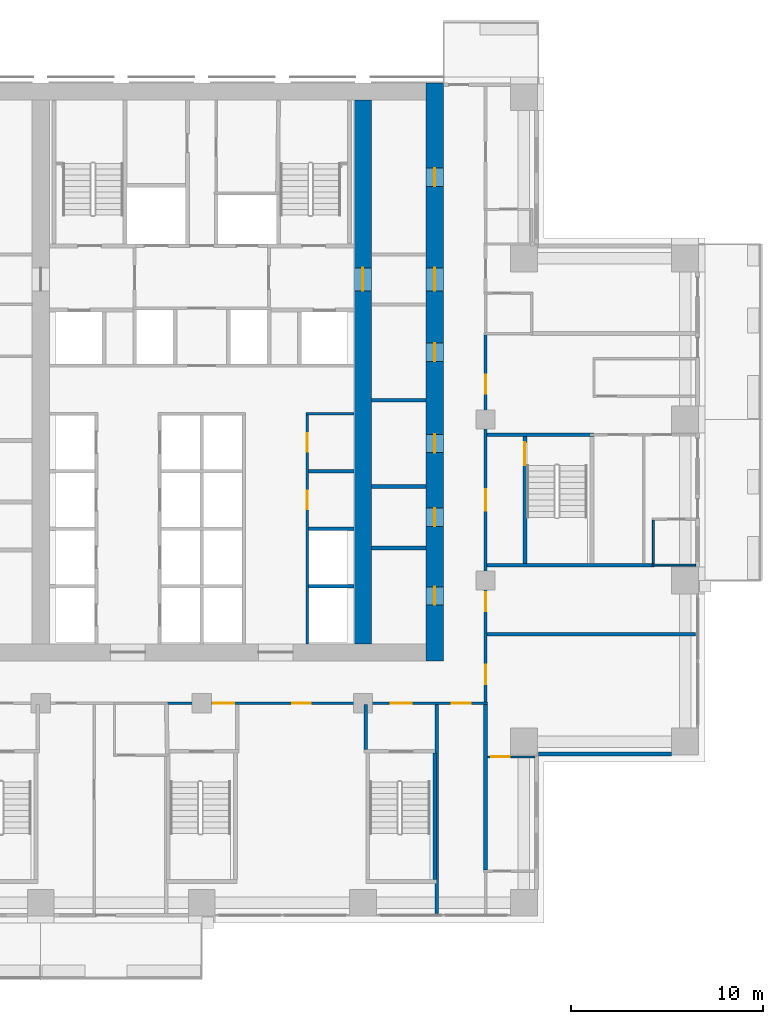
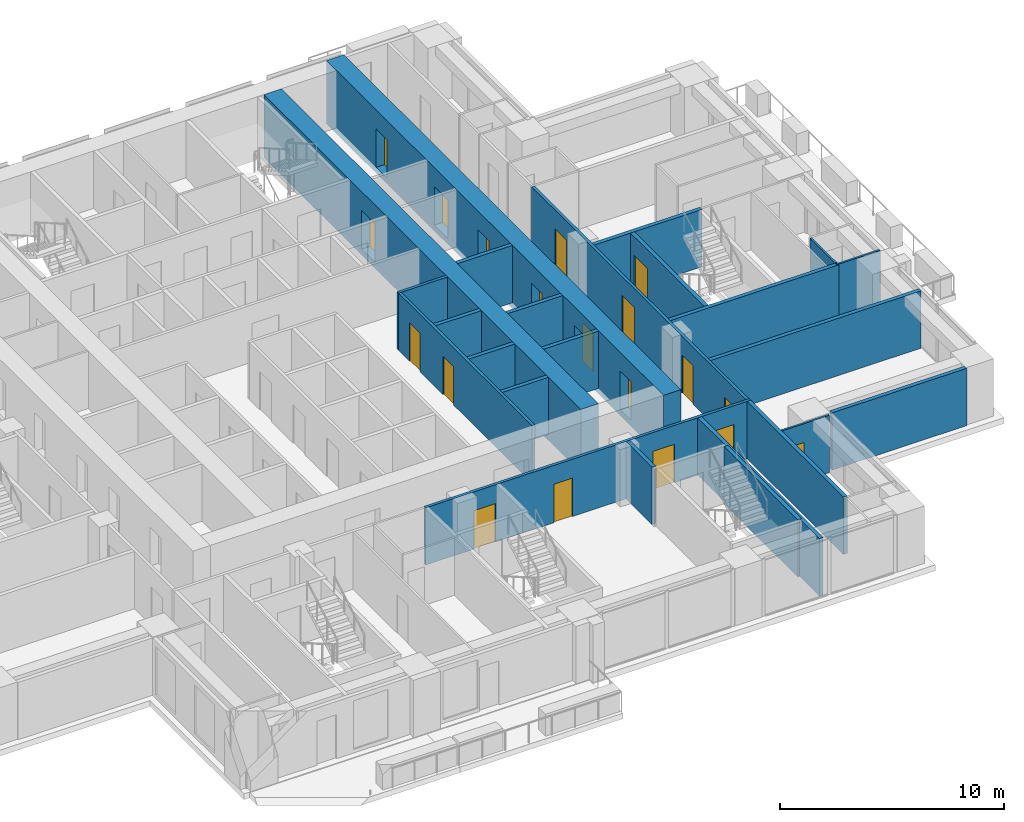
# One storey, part 9 of 17: 24 walls, 19 doors, 19 openings.
"""IFC4 building model written with IfcOpenShell, lengths in metres."""

import ifcopenshell
import ifcopenshell.guid

model = None  # the IFC model being written
_history = None  # IfcOwnerHistory: only IFC2X3 demands one
_inside = {}  # id of a spatial element -> (the spatial element, [elements in it])
_under = {}  # id of a project, library or spatial element -> (it, [spatial elements below it])
_declared = {}  # id of a project -> (the project, [libraries it declares])
_typed = {}  # id of a type object -> (the type object, [elements of that type])
_made_of = {}  # id of a material, layer set ... -> (it, [elements and type objects made of it])


def new_model(schema):
    """Start an empty IFC model of exactly this schema.

    Asked for "IFC4X3", IfcOpenShell would pick the latest addendum, in which some entities
    have other attributes; the version numbers below select the first issue.
    IFC2X3 requires an IfcOwnerHistory on every rooted entity: one is made here for all.
    """
    global model, _history
    if schema == "IFC4X3":
        model = ifcopenshell.file(schema_version=(4, 3, 0, 0))
    else:
        model = ifcopenshell.file(schema=schema)
    _inside.clear()
    _under.clear()
    _declared.clear()
    _typed.clear()
    _made_of.clear()
    _history = None
    if model.schema == "IFC2X3":
        org = make("IfcOrganization", Name="unknown")
        user = make(
            "IfcPersonAndOrganization",
            ThePerson=make("IfcPerson", FamilyName="unknown"),
            TheOrganization=org,
        )
        app = make(
            "IfcApplication",
            ApplicationDeveloper=org,
            Version="unknown",
            ApplicationFullName="unknown",
            ApplicationIdentifier="unknown",
        )
        _history = make(
            "IfcOwnerHistory",
            OwningUser=user,
            OwningApplication=app,
            ChangeAction="ADDED",
            CreationDate=0,
        )
    return model


def make(cls, **values):
    """One entity of the class cls with the attributes given. An attribute that is None is left unset."""
    return model.create_entity(
        cls, **{name: value for name, value in values.items() if value is not None}
    )


def rooted(cls, **values):
    """An entity with a GlobalId (a new one), such as an element, a storey or a relation."""
    return make(cls, GlobalId=ifcopenshell.guid.new(), OwnerHistory=_history, **values)


def si_unit(unit_type, name, prefix=None):
    """IfcSIUnit, for example si_unit("LENGTHUNIT", "METRE", prefix="MILLI")."""
    return make("IfcSIUnit", UnitType=unit_type, Prefix=prefix, Name=name)


def assignment(units):
    """IfcUnitAssignment: the units of a project."""
    return None if units is None else make("IfcUnitAssignment", Units=units)


def point(xyz):
    """IfcCartesianPoint."""
    return None if xyz is None else make("IfcCartesianPoint", Coordinates=xyz)


def direction(xyz):
    """IfcDirection."""
    return None if xyz is None else make("IfcDirection", DirectionRatios=xyz)


def frame(location, z_axis=None, x_axis=None):
    """IfcAxis2Placement3D, a coordinate frame: its origin and axes. An axis left out is left unset."""
    return make(
        "IfcAxis2Placement3D",
        Location=point(location),
        Axis=direction(z_axis),
        RefDirection=direction(x_axis),
    )


def frame_2d(location, x_axis=None):
    """IfcAxis2Placement2D, a coordinate frame in the plane: its origin and x axis."""
    return make(
        "IfcAxis2Placement2D", Location=point(location), RefDirection=direction(x_axis)
    )


def origin():
    """The frame at (0, 0, 0) with its axes left unset."""
    return frame((0.0, 0.0, 0.0))


def place(relative_to, where):
    """IfcLocalPlacement: puts the frame where relative to a parent placement (None: the world)."""
    return make(
        "IfcLocalPlacement", PlacementRelTo=relative_to, RelativePlacement=where
    )


def context(
    kind, dimensions, precision=None, world=None, true_north=None, identifier=None
):
    """IfcGeometricRepresentationContext, for example the 3D "Model" context."""
    return make(
        "IfcGeometricRepresentationContext",
        ContextIdentifier=identifier,
        ContextType=kind,
        CoordinateSpaceDimension=dimensions,
        Precision=precision,
        WorldCoordinateSystem=world,
        TrueNorth=true_north,
    )


def subcontext(parent, identifier, kind, view, scale=None):
    """IfcGeometricRepresentationSubContext, for example "Body" below "Model"."""
    return make(
        "IfcGeometricRepresentationSubContext",
        ContextIdentifier=identifier,
        ContextType=kind,
        ParentContext=parent,
        TargetScale=scale,
        TargetView=view,
    )


def project(units=None, contexts=None):
    """IfcProject with its units and contexts."""
    return rooted(
        "IfcProject",
        Name="project",
        RepresentationContexts=contexts,
        UnitsInContext=assignment(units),
    )


def spatial(cls, under=None, at=None, **own):
    """A site, building, storey or space (cls), placed at a placement, below another one or the project."""
    s = rooted(cls, ObjectPlacement=at, **own)
    if under is not None:
        _under.setdefault(under.id(), (under, []))[1].append(s)
    return s


def profile(cls, at=None, kind="AREA", **sizes):
    """A parametric profile (cls). Its sizes go by their IFC names, for example OverallWidth=200.0."""
    return make(cls, ProfileType=kind, Position=at, **sizes)


def rectangle(**sizes):
    """IfcRectangleProfileDef."""
    return profile("IfcRectangleProfileDef", **sizes)


def extrude(swept, where, along, depth):
    """IfcExtrudedAreaSolid: the profile swept, set in the frame where, extruded along a direction by depth."""
    return make(
        "IfcExtrudedAreaSolid",
        SweptArea=swept,
        Position=where,
        ExtrudedDirection=direction(along),
        Depth=depth,
    )


def shape(context_of_items, identifier, shape_type, items):
    """IfcShapeRepresentation: the items that make up one representation, for example the "Body"."""
    return make(
        "IfcShapeRepresentation",
        ContextOfItems=context_of_items,
        RepresentationIdentifier=identifier,
        RepresentationType=shape_type,
        Items=items,
    )


def material(Name=None, Category=None):
    """IfcMaterial."""
    return make("IfcMaterial", Name=Name, Category=Category)


def layer(
    of_material, thickness, ventilated=None, Name=None, Category=None, Priority=None
):
    """IfcMaterialLayer: one layer of a wall or slab, of a material (None: an air gap)."""
    return make(
        "IfcMaterialLayer",
        Material=of_material,
        LayerThickness=thickness,
        IsVentilated=ventilated,
        Name=Name,
        Category=Category,
        Priority=Priority,
    )


def layer_set(layers, Name=None):
    """IfcMaterialLayerSet."""
    return make("IfcMaterialLayerSet", MaterialLayers=layers, LayerSetName=Name)


def made_of(thing, what):
    """Note that an element or type object is made of a material, layer set ...; save() writes the relation."""
    if what is not None:
        _made_of.setdefault(what.id(), (what, []))[1].append(thing)
    return thing


def type_object(cls, material=None, **own):
    """A type object (cls), such as IfcWallType, which elements share."""
    return made_of(rooted(cls, **own), material)


def element(
    cls,
    number,
    at=None,
    inside=None,
    cuts=None,
    type_object=None,
    material=None,
    context=None,
    identifier="Body",
    shape_type=None,
    held_by="IfcProductDefinitionShape",
    body=None,
    shapes=None,
    **own,
):
    """One element of the class cls, such as IfcWall. Its Tag is "e" and its number.

    at: its placement. inside: the storey or other place that contains it. cuts: it is an
    opening in that element (IfcRelVoidsElement). A single representation is given by context,
    identifier, shape_type and body (its items); several are given by shapes. held_by: the class
    of the entity that holds the representations. save() writes the other relations.
    """
    e = rooted(cls, Tag="e%d" % number, ObjectPlacement=at, **own)
    if body is not None:
        shapes = [shape(context, identifier, shape_type, body)]
    if shapes is not None:
        e.Representation = make(held_by, Representations=shapes)
    if inside is not None:
        _inside.setdefault(inside.id(), (inside, []))[1].append(e)
    if cuts is not None:
        rooted(
            "IfcRelVoidsElement", RelatingBuildingElement=cuts, RelatedOpeningElement=e
        )
    if type_object is not None:
        _typed.setdefault(type_object.id(), (type_object, []))[1].append(e)
    return made_of(e, material)


def fill(opening, filler):
    """IfcRelFillsElement: the door or window that sits in an opening."""
    return rooted(
        "IfcRelFillsElement",
        RelatingOpeningElement=opening,
        RelatedBuildingElement=filler,
    )


def aggregate(whole, parts):
    """IfcRelAggregates: a whole, such as a stair, and the parts it consists of."""
    return rooted("IfcRelAggregates", RelatingObject=whole, RelatedObjects=parts)


def save(model, path):
    """Write the relations noted so far, then the file.

    IfcRelAggregates (storeys below a building ...), IfcRelContainedInSpatialStructure (elements
    in a storey), IfcRelDefinesByType, IfcRelAssociatesMaterial and IfcRelDeclares: one each for
    every whole, place, type object, material and project.
    """
    for whole, parts in _under.values():
        aggregate(whole, parts)
    for where, things in _inside.values():
        rooted(
            "IfcRelContainedInSpatialStructure",
            RelatedElements=things,
            RelatingStructure=where,
        )
    for kind, things in _typed.values():
        rooted("IfcRelDefinesByType", RelatedObjects=things, RelatingType=kind)
    for what, things in _made_of.values():
        rooted("IfcRelAssociatesMaterial", RelatedObjects=things, RelatingMaterial=what)
    for by, libraries in _declared.values():
        rooted("IfcRelDeclares", RelatingContext=by, RelatedDefinitions=libraries)
    model.write(path)


model = new_model("IFC4")

# Units and contexts
model_context = context("Model", 3, precision=1e-05, world=origin(), true_north=direction((0.0, 1.0)))
body_context = subcontext(model_context, "Body", "Model", "MODEL_VIEW")
ifc_project = project(units=[si_unit("LENGTHUNIT", "METRE"), si_unit("AREAUNIT", "SQUARE_METRE"), si_unit("VOLUMEUNIT", "CUBIC_METRE"), si_unit("PLANEANGLEUNIT", "RADIAN"), si_unit("MASSUNIT", "GRAM", prefix="KILO")], contexts=[model_context])

# Site, building, storey
site_placement = place(None, origin())
site = spatial("IfcSite", under=ifc_project, at=site_placement, CompositionType="ELEMENT")
building_placement = place(site_placement, origin())
building = spatial("IfcBuilding", under=site, at=building_placement, Name="Vermilion Ogive Tower", CompositionType="ELEMENT")
storey_placement = place(building_placement, frame((0.0, 0.0, 58.64990234375)))
storey = spatial("IfcBuildingStorey", under=building, at=storey_placement, Name="L13", CompositionType="ELEMENT", Elevation=58.64990234375)

# Wall, openings, doors
ifc_material_1 = material(Name="Concrete B80", Category="concrete")
ifc_layer_1 = layer(ifc_material_1, 0.89990234375)
ifc_layer_set_1 = layer_set([ifc_layer_1], Name="Core wall 900 B80")
wall_type_1 = type_object("IfcWallType", Name="Core wall 900 B80", PredefinedType="SHEAR", material=ifc_layer_set_1)
wall_1_placement = place(storey_placement, frame((12.14990234375, -8.39990234375, -0.31982421875), z_axis=(0.0, 0.0, 1.0), x_axis=(0.0, 1.0, 0.0)))
wall_1 = element("IfcWall", 1, at=wall_1_placement, inside=storey, type_object=wall_type_1, Name="L13-CORE-E", PredefinedType="SHEAR", context=body_context, shape_type="SweptSolid", body=[
    extrude(rectangle(XDim=30.14990234375, YDim=0.89990234375, at=frame_2d((15.074951171875, 0.0))), origin(), (0.0, 0.0, 1.0), 3.449951171875),
])
opening_1_placement = place(wall_1_placement, frame((2.925048828125, 0.0, 0.320068359375)))
opening_1 = element("IfcOpeningElement", 2, at=opening_1_placement, cuts=wall_1, Name="Opening DAC018", PredefinedType="OPENING", context=body_context, shape_type="SweptSolid", body=[
    extrude(rectangle(XDim=0.949951171875, YDim=2.10009765625, at=frame_2d((0.47509765625, 1.050048828125))), frame((0.0, 0.4599609375, 0.0), z_axis=(0.0, -1.0, 0.0), x_axis=(1.0, 0.0, 0.0)), (0.0, 0.0, 1.0), 0.919921875),
])
opening_2_placement = place(wall_1_placement, frame((7.02490234375, 0.0, 0.320068359375)))
opening_2 = element("IfcOpeningElement", 3, at=opening_2_placement, cuts=wall_1, Name="Opening DAC019", PredefinedType="OPENING", context=body_context, shape_type="SweptSolid", body=[
    extrude(rectangle(XDim=0.949951171875, YDim=2.10009765625, at=frame_2d((0.47509765625, 1.050048828125))), frame((0.0, 0.4599609375, 0.0), z_axis=(0.0, -1.0, 0.0), x_axis=(1.0, 0.0, 0.0)), (0.0, 0.0, 1.0), 0.919921875),
])
opening_3_placement = place(wall_1_placement, frame((10.875, 0.0, 0.320068359375)))
opening_3 = element("IfcOpeningElement", 4, at=opening_3_placement, cuts=wall_1, Name="Opening DAC020", PredefinedType="OPENING", context=body_context, shape_type="SweptSolid", body=[
    extrude(rectangle(XDim=0.949951171875, YDim=2.10009765625, at=frame_2d((0.47509765625, 1.050048828125))), frame((0.0, 0.4599609375, 0.0), z_axis=(0.0, -1.0, 0.0), x_axis=(1.0, 0.0, 0.0)), (0.0, 0.0, 1.0), 0.919921875),
])
opening_4_placement = place(wall_1_placement, frame((15.625, 0.0, 0.320068359375)))
opening_4 = element("IfcOpeningElement", 5, at=opening_4_placement, cuts=wall_1, Name="Opening DAC021", PredefinedType="OPENING", context=body_context, shape_type="SweptSolid", body=[
    extrude(rectangle(XDim=0.949951171875, YDim=2.10009765625, at=frame_2d((0.47509765625, 1.050048828125))), frame((0.0, 0.4599609375, 0.0), z_axis=(0.0, -1.0, 0.0), x_axis=(1.0, 0.0, 0.0)), (0.0, 0.0, 1.0), 0.919921875),
])
opening_5_placement = place(wall_1_placement, frame((24.75, 0.0, 0.320068359375)))
opening_5 = element("IfcOpeningElement", 6, at=opening_5_placement, cuts=wall_1, Name="Opening DAC022", PredefinedType="OPENING", context=body_context, shape_type="SweptSolid", body=[
    extrude(rectangle(XDim=0.949951171875, YDim=2.10009765625, at=frame_2d((0.47509765625, 1.050048828125))), frame((0.0, 0.4599609375, 0.0), z_axis=(0.0, -1.0, 0.0), x_axis=(1.0, 0.0, 0.0)), (0.0, 0.0, 1.0), 0.919921875),
])
opening_6_placement = place(wall_1_placement, frame((19.300048828125, 0.0, 0.320068359375)))
opening_6 = element("IfcOpeningElement", 7, at=opening_6_placement, cuts=wall_1, Name="Opening DAL004", PredefinedType="OPENING", context=body_context, shape_type="SweptSolid", body=[
    extrude(rectangle(XDim=1.199951171875, YDim=2.10009765625, at=frame_2d((0.60009765625, 1.050048828125))), frame((0.0, 0.4599609375, 0.0), z_axis=(0.0, -1.0, 0.0), x_axis=(1.0, 0.0, 0.0)), (0.0, 0.0, 1.0), 0.919921875),
])
ifc_material_2 = material(Name="Timber door leaf", Category="wood")
door_type_1 = type_object("IfcDoorType", Name="Link door 1200 x 2100 FD60S", OperationType="SINGLE_SWING_LEFT", PredefinedType="DOOR", material=ifc_material_2)
door_1_placement = place(opening_6_placement, origin())
door_1 = element("IfcDoor", 8, at=door_1_placement, inside=storey, type_object=door_type_1, Name="L13-CKE-XL", OperationType="SINGLE_SWING_LEFT", OverallHeight=2.10009765625, OverallWidth=1.199951171875, PredefinedType="DOOR", context=body_context, shape_type="SweptSolid", body=[
    extrude(rectangle(XDim=1.199951171875, YDim=2.10009765625, at=frame_2d((0.60009765625, 1.050048828125))), frame((0.0, 0.02490234375, 0.0), z_axis=(0.0, -1.0, 0.0), x_axis=(1.0, 0.0, 0.0)), (0.0, 0.0, 1.0), 0.050048828125),
])
fill(opening_6, door_1)
ifc_material_3 = material(Name="Timber door leaf", Category="wood")
door_type_2 = type_object("IfcDoorType", Name="Service door 950 x 2100 FD60", OperationType="SINGLE_SWING_LEFT", PredefinedType="DOOR", material=ifc_material_3)
door_2_placement = place(opening_1_placement, origin())
door_2 = element("IfcDoor", 9, at=door_2_placement, inside=storey, type_object=door_type_2, Name="L13-CKE-XR0", OperationType="SINGLE_SWING_LEFT", OverallHeight=2.10009765625, OverallWidth=0.949951171875, PredefinedType="DOOR", context=body_context, shape_type="SweptSolid", body=[
    extrude(rectangle(XDim=0.949951171875, YDim=2.10009765625, at=frame_2d((0.47509765625, 1.050048828125))), frame((0.0, 0.02490234375, 0.0), z_axis=(0.0, -1.0, 0.0), x_axis=(1.0, 0.0, 0.0)), (0.0, 0.0, 1.0), 0.050048828125),
])
fill(opening_1, door_2)
door_3_placement = place(opening_2_placement, origin())
door_3 = element("IfcDoor", 10, at=door_3_placement, inside=storey, type_object=door_type_2, Name="L13-CKE-XR1", OperationType="SINGLE_SWING_LEFT", OverallHeight=2.10009765625, OverallWidth=0.949951171875, PredefinedType="DOOR", context=body_context, shape_type="SweptSolid", body=[
    extrude(rectangle(XDim=0.949951171875, YDim=2.10009765625, at=frame_2d((0.47509765625, 1.050048828125))), frame((0.0, 0.02490234375, 0.0), z_axis=(0.0, -1.0, 0.0), x_axis=(1.0, 0.0, 0.0)), (0.0, 0.0, 1.0), 0.050048828125),
])
fill(opening_2, door_3)
door_4_placement = place(opening_3_placement, origin())
door_4 = element("IfcDoor", 11, at=door_4_placement, inside=storey, type_object=door_type_2, Name="L13-CKE-XR2", OperationType="SINGLE_SWING_LEFT", OverallHeight=2.10009765625, OverallWidth=0.949951171875, PredefinedType="DOOR", context=body_context, shape_type="SweptSolid", body=[
    extrude(rectangle(XDim=0.949951171875, YDim=2.10009765625, at=frame_2d((0.47509765625, 1.050048828125))), frame((0.0, 0.02490234375, 0.0), z_axis=(0.0, -1.0, 0.0), x_axis=(1.0, 0.0, 0.0)), (0.0, 0.0, 1.0), 0.050048828125),
])
fill(opening_3, door_4)
door_5_placement = place(opening_4_placement, origin())
door_5 = element("IfcDoor", 12, at=door_5_placement, inside=storey, type_object=door_type_2, Name="L13-CKE-XR3", OperationType="SINGLE_SWING_LEFT", OverallHeight=2.10009765625, OverallWidth=0.949951171875, PredefinedType="DOOR", context=body_context, shape_type="SweptSolid", body=[
    extrude(rectangle(XDim=0.949951171875, YDim=2.10009765625, at=frame_2d((0.47509765625, 1.050048828125))), frame((0.0, 0.02490234375, 0.0), z_axis=(0.0, -1.0, 0.0), x_axis=(1.0, 0.0, 0.0)), (0.0, 0.0, 1.0), 0.050048828125),
])
fill(opening_4, door_5)
door_6_placement = place(opening_5_placement, origin())
door_6 = element("IfcDoor", 13, at=door_6_placement, inside=storey, type_object=door_type_2, Name="L13-CKE-XR4", OperationType="SINGLE_SWING_LEFT", OverallHeight=2.10009765625, OverallWidth=0.949951171875, PredefinedType="DOOR", context=body_context, shape_type="SweptSolid", body=[
    extrude(rectangle(XDim=0.949951171875, YDim=2.10009765625, at=frame_2d((0.47509765625, 1.050048828125))), frame((0.0, 0.02490234375, 0.0), z_axis=(0.0, -1.0, 0.0), x_axis=(1.0, 0.0, 0.0)), (0.0, 0.0, 1.0), 0.050048828125),
])
fill(opening_5, door_6)

# Wall, opening, door
wall_2_placement = place(storey_placement, frame((8.39990234375, -7.5, -0.31982421875), z_axis=(0.0, 0.0, 1.0), x_axis=(0.0, 1.0, 0.0)))
wall_2 = element("IfcWall", 14, at=wall_2_placement, inside=storey, type_object=wall_type_1, Name="L13-CORE-WEB2", PredefinedType="SHEAR", context=body_context, shape_type="SweptSolid", body=[
    extrude(rectangle(XDim=28.35009765625, YDim=0.89990234375, at=frame_2d((14.175048828125, 0.0))), origin(), (0.0, 0.0, 1.0), 3.449951171875),
])
opening_7_placement = place(wall_2_placement, frame((18.39990234375, 0.0, 0.320068359375)))
opening_7 = element("IfcOpeningElement", 15, at=opening_7_placement, cuts=wall_2, Name="Opening DAO004", PredefinedType="OPENING", context=body_context, shape_type="SweptSolid", body=[
    extrude(rectangle(XDim=1.199951171875, YDim=2.10009765625, at=frame_2d((0.60009765625, 1.050048828125))), frame((0.0, 0.4599609375, 0.0), z_axis=(0.0, -1.0, 0.0), x_axis=(1.0, 0.0, 0.0)), (0.0, 0.0, 1.0), 0.919921875),
])
door_7_placement = place(opening_7_placement, origin())
door_7 = element("IfcDoor", 16, at=door_7_placement, inside=storey, type_object=door_type_1, Name="L13-CKE-XW", OperationType="SINGLE_SWING_LEFT", OverallHeight=2.10009765625, OverallWidth=1.199951171875, PredefinedType="DOOR", context=body_context, shape_type="SweptSolid", body=[
    extrude(rectangle(XDim=1.199951171875, YDim=2.10009765625, at=frame_2d((0.60009765625, 1.050048828125))), frame((0.0, 0.02490234375, 0.0), z_axis=(0.0, -1.0, 0.0), x_axis=(1.0, 0.0, 0.0)), (0.0, 0.0, 1.0), 0.050048828125),
])
fill(opening_7, door_7)

# Walls
ifc_material_4 = material(Name="Gypsum board partition on steel studs", Category="steel")
ifc_layer_2 = layer(ifc_material_4, 0.10009765625)
ifc_layer_set_2 = layer_set([ifc_layer_2], Name="Partition 100 bath")
wall_type_2 = type_object("IfcWallType", Name="Partition 100 bath", PredefinedType="PARTITIONING", material=ifc_layer_set_2)
for number, where, z_axis, x_axis, name in (
    (17, (23.5, -3.39990234375, 0.0), (0.0, 0.0, 1.0), (1.0, 0.0, 0.0), "L13-W-W020"),
    (18, (23.550048828125, -3.300048828125, 0.0), (0.0, 0.0, 1.0), (0.0, 1.0, 0.0), "L13-W-W082"),
):
    element("IfcWall", number, at=place(storey_placement, frame(where, z_axis=z_axis, x_axis=x_axis)), inside=storey, type_object=wall_type_2, Name=name, PredefinedType="PARTITIONING", context=body_context, shape_type="SweptSolid", body=[
        extrude(rectangle(XDim=2.25, YDim=0.10009765625, at=frame_2d((1.125, 0.0))), origin(), (0.0, 0.0, 1.0), 3.130126953125),
    ])

# Wall, opening, door
ifc_material_5 = material(Name="Gypsum board partition on steel studs", Category="steel")
ifc_layer_3 = layer(ifc_material_5, 0.10009765625)
ifc_layer_set_3 = layer_set([ifc_layer_3], Name="Partition 100 inner")
wall_type_3 = type_object("IfcWallType", Name="Partition 100 inner", PredefinedType="PARTITIONING", material=ifc_layer_set_3)
wall_3_placement = place(storey_placement, frame((14.89990234375, -13.39990234375, 0.0), z_axis=(0.0, 0.0, 1.0), x_axis=(1.0, 0.0, 0.0)))
wall_3 = element("IfcWall", 19, at=wall_3_placement, inside=storey, type_object=wall_type_3, Name="L13-W-W007", PredefinedType="PARTITIONING", context=body_context, shape_type="SweptSolid", body=[
    extrude(rectangle(XDim=2.4501953125, YDim=0.10009765625, at=frame_2d((1.22509765625, 0.0))), origin(), (0.0, 0.0, 1.0), 3.130126953125),
])
opening_8_placement = place(wall_3_placement, frame((0.2001953125, 0.0, 0.0)))
opening_8 = element("IfcOpeningElement", 20, at=opening_8_placement, cuts=wall_3, Name="Opening D1G4017", PredefinedType="OPENING", context=body_context, shape_type="SweptSolid", body=[
    extrude(rectangle(XDim=0.949951171875, YDim=2.10009765625, at=frame_2d((0.47509765625, 1.050048828125))), frame((0.0, 0.06005859375, 0.0), z_axis=(0.0, -1.0, 0.0), x_axis=(1.0, 0.0, 0.0)), (0.0, 0.0, 1.0), 0.1201171875),
])
ifc_material_6 = material(Name="Timber door leaf", Category="wood")
door_type_3 = type_object("IfcDoorType", Name="Inner door 950 x 2100 FD30", OperationType="SINGLE_SWING_LEFT", PredefinedType="DOOR", material=ifc_material_6)
door_8_placement = place(opening_8_placement, origin())
door_8 = element("IfcDoor", 21, at=door_8_placement, inside=storey, type_object=door_type_3, Name="L13-D-D017", OperationType="SINGLE_SWING_RIGHT", OverallHeight=2.10009765625, OverallWidth=0.949951171875, PredefinedType="DOOR", context=body_context, shape_type="SweptSolid", body=[
    extrude(rectangle(XDim=0.949951171875, YDim=2.10009765625, at=frame_2d((0.47509765625, 1.050048828125))), frame((0.0, 0.02490234375, 0.0), z_axis=(0.0, -1.0, 0.0), x_axis=(1.0, 0.0, 0.0)), (0.0, 0.0, 1.0), 0.050048828125),
])
fill(opening_8, door_8)

# Wall, openings, doors
ifc_material_7 = material(Name="Gypsum board partition on steel studs", Category="steel")
ifc_layer_4 = layer(ifc_material_7, 0.14990234375)
ifc_layer_set_4 = layer_set([ifc_layer_4], Name="Partition 150 corridor")
wall_type_4 = type_object("IfcWallType", Name="Partition 150 corridor", PredefinedType="PARTITIONING", material=ifc_layer_set_4)
wall_4_placement = place(storey_placement, frame((-1.89990234375, -10.60009765625, 0.0), z_axis=(0.0, 0.0, 1.0), x_axis=(1.0, 0.0, 0.0)))
wall_4 = element("IfcWall", 22, at=wall_4_placement, inside=storey, type_object=wall_type_4, Name="L13-W-W014", PredefinedType="PARTITIONING", context=body_context, shape_type="SweptSolid", body=[
    extrude(rectangle(XDim=16.7998046875, YDim=0.14990234375, at=frame_2d((8.39990234375, 0.0))), origin(), (0.0, 0.0, 1.0), 3.130126953125),
])
opening_9_placement = place(wall_4_placement, frame((6.625, 0.0, 0.0)))
opening_9 = element("IfcOpeningElement", 23, at=opening_9_placement, cuts=wall_4, Name="Opening D1G4015", PredefinedType="OPENING", context=body_context, shape_type="SweptSolid", body=[
    extrude(rectangle(XDim=0.949951171875, YDim=2.10009765625, at=frame_2d((0.47509765625, 1.050048828125))), frame((0.0, 0.0849609375, 0.0), z_axis=(0.0, -1.0, 0.0), x_axis=(1.0, 0.0, 0.0)), (0.0, 0.0, 1.0), 0.169921875),
])
opening_10_placement = place(wall_4_placement, frame((2.5, 0.0, 0.0)))
opening_10 = element("IfcOpeningElement", 24, at=opening_10_placement, cuts=wall_4, Name="Opening D1G4030", PredefinedType="OPENING", context=body_context, shape_type="SweptSolid", body=[
    extrude(rectangle(XDim=1.10009765625, YDim=2.10009765625, at=frame_2d((0.550048828125, 1.050048828125))), frame((0.0, 0.0849609375, 0.0), z_axis=(0.0, -1.0, 0.0), x_axis=(1.0, 0.0, 0.0)), (0.0, 0.0, 1.0), 0.169921875),
])
opening_11_placement = place(wall_4_placement, frame((11.75, 0.0, 0.0)))
opening_11 = element("IfcOpeningElement", 25, at=opening_11_placement, cuts=wall_4, Name="Opening D1G4032", PredefinedType="OPENING", context=body_context, shape_type="SweptSolid", body=[
    extrude(rectangle(XDim=1.10009765625, YDim=2.10009765625, at=frame_2d((0.550048828125, 1.050048828125))), frame((0.0, 0.0849609375, 0.0), z_axis=(0.0, -1.0, 0.0), x_axis=(1.0, 0.0, 0.0)), (0.0, 0.0, 1.0), 0.169921875),
])
opening_12_placement = place(wall_4_placement, frame((14.9248046875, 0.0, 0.0)))
opening_12 = element("IfcOpeningElement", 26, at=opening_12_placement, cuts=wall_4, Name="Opening D1G4039", PredefinedType="OPENING", context=body_context, shape_type="SweptSolid", body=[
    extrude(rectangle(XDim=1.0, YDim=2.10009765625, at=frame_2d((0.5, 1.050048828125))), frame((0.0, 0.0849609375, 0.0), z_axis=(0.0, -1.0, 0.0), x_axis=(1.0, 0.0, 0.0)), (0.0, 0.0, 1.0), 0.169921875),
])
ifc_material_8 = material(Name="Timber door leaf", Category="wood")
door_type_4 = type_object("IfcDoorType", Name="Stair door 1100 x 2100 FD60S", OperationType="SINGLE_SWING_LEFT", PredefinedType="DOOR", material=ifc_material_8)
door_9_placement = place(opening_10_placement, origin())
door_9 = element("IfcDoor", 27, at=door_9_placement, inside=storey, type_object=door_type_4, Name="L13-D-D030", OperationType="SINGLE_SWING_LEFT", OverallHeight=2.10009765625, OverallWidth=1.10009765625, PredefinedType="DOOR", context=body_context, shape_type="SweptSolid", body=[
    extrude(rectangle(XDim=1.10009765625, YDim=2.10009765625, at=frame_2d((0.550048828125, 1.050048828125))), frame((0.0, 0.02490234375, 0.0), z_axis=(0.0, -1.0, 0.0), x_axis=(1.0, 0.0, 0.0)), (0.0, 0.0, 1.0), 0.050048828125),
])
fill(opening_10, door_9)
door_10_placement = place(opening_11_placement, origin())
door_10 = element("IfcDoor", 28, at=door_10_placement, inside=storey, type_object=door_type_4, Name="L13-D-D032", OperationType="SINGLE_SWING_RIGHT", OverallHeight=2.10009765625, OverallWidth=1.10009765625, PredefinedType="DOOR", context=body_context, shape_type="SweptSolid", body=[
    extrude(rectangle(XDim=1.10009765625, YDim=2.10009765625, at=frame_2d((0.550048828125, 1.050048828125))), frame((0.0, 0.02490234375, 0.0), z_axis=(0.0, -1.0, 0.0), x_axis=(1.0, 0.0, 0.0)), (0.0, 0.0, 1.0), 0.050048828125),
])
fill(opening_11, door_10)
ifc_material_9 = material(Name="Timber door leaf", Category="wood")
door_type_5 = type_object("IfcDoorType", Name="Unit door 1000 x 2100 FD30S", OperationType="SINGLE_SWING_LEFT", PredefinedType="DOOR", material=ifc_material_9)
door_11_placement = place(opening_12_placement, origin())
door_11 = element("IfcDoor", 29, at=door_11_placement, inside=storey, type_object=door_type_5, Name="L13-D-D039", OperationType="SINGLE_SWING_LEFT", OverallHeight=2.10009765625, OverallWidth=1.0, PredefinedType="DOOR", context=body_context, shape_type="SweptSolid", body=[
    extrude(rectangle(XDim=1.0, YDim=2.10009765625, at=frame_2d((0.5, 1.050048828125))), frame((0.0, 0.02490234375, 0.0), z_axis=(0.0, -1.0, 0.0), x_axis=(1.0, 0.0, 0.0)), (0.0, 0.0, 1.0), 0.050048828125),
])
fill(opening_12, door_11)
ifc_material_10 = material(Name="Timber door leaf", Category="wood")
door_type_6 = type_object("IfcDoorType", Name="Unit door 950 x 2100 FD30S", OperationType="SINGLE_SWING_LEFT", PredefinedType="DOOR", material=ifc_material_10)
door_12_placement = place(opening_9_placement, origin())
door_12 = element("IfcDoor", 30, at=door_12_placement, inside=storey, type_object=door_type_6, Name="L13-D-D015", OperationType="SINGLE_SWING_RIGHT", OverallHeight=2.10009765625, OverallWidth=0.949951171875, PredefinedType="DOOR", context=body_context, shape_type="SweptSolid", body=[
    extrude(rectangle(XDim=0.949951171875, YDim=2.10009765625, at=frame_2d((0.47509765625, 1.050048828125))), frame((0.0, 0.02490234375, 0.0), z_axis=(0.0, -1.0, 0.0), x_axis=(1.0, 0.0, 0.0)), (0.0, 0.0, 1.0), 0.050048828125),
])
fill(opening_9, door_12)

wall_5_placement = place(storey_placement, frame((14.800048828125, -10.52490234375, 0.0), z_axis=(0.0, 0.0, 1.0), x_axis=(0.0, 1.0, 0.0)))
wall_5 = element("IfcWall", 31, at=wall_5_placement, inside=storey, type_object=wall_type_4, Name="L13-W-W071", PredefinedType="PARTITIONING", context=body_context, shape_type="SweptSolid", body=[
    extrude(rectangle(XDim=19.15478515625, YDim=0.14990234375, at=frame_2d((9.577392578125, 0.0))), origin(), (0.0, 0.0, 1.0), 3.130126953125),
])
opening_13_placement = place(wall_5_placement, frame((0.9248046875, 0.0, 0.0)))
opening_13 = element("IfcOpeningElement", 32, at=opening_13_placement, cuts=wall_5, Name="Opening D1G4016", PredefinedType="OPENING", context=body_context, shape_type="SweptSolid", body=[
    extrude(rectangle(XDim=1.0, YDim=2.10009765625, at=frame_2d((0.5, 1.050048828125))), frame((0.0, 0.0849609375, 0.0), z_axis=(0.0, -1.0, 0.0), x_axis=(1.0, 0.0, 0.0)), (0.0, 0.0, 1.0), 0.169921875),
])
opening_14_placement = place(wall_5_placement, frame((16.06494140625, 0.0, 0.0)))
opening_14 = element("IfcOpeningElement", 33, at=opening_14_placement, cuts=wall_5, Name="Opening D1G4021", PredefinedType="OPENING", context=body_context, shape_type="SweptSolid", body=[
    extrude(rectangle(XDim=1.0, YDim=2.10009765625, at=frame_2d((0.5, 1.050048828125))), frame((0.0, 0.0849609375, 0.0), z_axis=(0.0, -1.0, 0.0), x_axis=(1.0, 0.0, 0.0)), (0.0, 0.0, 1.0), 0.169921875),
])
opening_15_placement = place(wall_5_placement, frame((9.974853515625, 0.0, 0.0)))
opening_15 = element("IfcOpeningElement", 34, at=opening_15_placement, cuts=wall_5, Name="Opening D1G4034", PredefinedType="OPENING", context=body_context, shape_type="SweptSolid", body=[
    extrude(rectangle(XDim=1.10009765625, YDim=2.10009765625, at=frame_2d((0.550048828125, 1.050048828125))), frame((0.0, 0.0849609375, 0.0), z_axis=(0.0, -1.0, 0.0), x_axis=(1.0, 0.0, 0.0)), (0.0, 0.0, 1.0), 0.169921875),
])
opening_16_placement = place(wall_5_placement, frame((4.724853515625, 0.0, 0.0)))
opening_16 = element("IfcOpeningElement", 35, at=opening_16_placement, cuts=wall_5, Name="Opening D1G4041", PredefinedType="OPENING", context=body_context, shape_type="SweptSolid", body=[
    extrude(rectangle(XDim=1.0, YDim=2.10009765625, at=frame_2d((0.5, 1.050048828125))), frame((0.0, 0.0849609375, 0.0), z_axis=(0.0, -1.0, 0.0), x_axis=(1.0, 0.0, 0.0)), (0.0, 0.0, 1.0), 0.169921875),
])
door_13_placement = place(opening_15_placement, origin())
door_13 = element("IfcDoor", 36, at=door_13_placement, inside=storey, type_object=door_type_4, Name="L13-D-D034", OperationType="SINGLE_SWING_LEFT", OverallHeight=2.10009765625, OverallWidth=1.10009765625, PredefinedType="DOOR", context=body_context, shape_type="SweptSolid", body=[
    extrude(rectangle(XDim=1.10009765625, YDim=2.10009765625, at=frame_2d((0.550048828125, 1.050048828125))), frame((0.0, 0.02490234375, 0.0), z_axis=(0.0, -1.0, 0.0), x_axis=(1.0, 0.0, 0.0)), (0.0, 0.0, 1.0), 0.050048828125),
])
fill(opening_15, door_13)
door_14_placement = place(opening_13_placement, origin())
door_14 = element("IfcDoor", 37, at=door_14_placement, inside=storey, type_object=door_type_5, Name="L13-D-D016", OperationType="SINGLE_SWING_RIGHT", OverallHeight=2.10009765625, OverallWidth=1.0, PredefinedType="DOOR", context=body_context, shape_type="SweptSolid", body=[
    extrude(rectangle(XDim=1.0, YDim=2.10009765625, at=frame_2d((0.5, 1.050048828125))), frame((0.0, 0.02490234375, 0.0), z_axis=(0.0, -1.0, 0.0), x_axis=(1.0, 0.0, 0.0)), (0.0, 0.0, 1.0), 0.050048828125),
])
fill(opening_13, door_14)
door_15_placement = place(opening_14_placement, origin())
door_15 = element("IfcDoor", 38, at=door_15_placement, inside=storey, type_object=door_type_5, Name="L13-D-D021", OperationType="SINGLE_SWING_RIGHT", OverallHeight=2.10009765625, OverallWidth=1.0, PredefinedType="DOOR", context=body_context, shape_type="SweptSolid", body=[
    extrude(rectangle(XDim=1.0, YDim=2.10009765625, at=frame_2d((0.5, 1.050048828125))), frame((0.0, 0.02490234375, 0.0), z_axis=(0.0, -1.0, 0.0), x_axis=(1.0, 0.0, 0.0)), (0.0, 0.0, 1.0), 0.050048828125),
])
fill(opening_14, door_15)
door_16_placement = place(opening_16_placement, origin())
door_16 = element("IfcDoor", 39, at=door_16_placement, inside=storey, type_object=door_type_5, Name="L13-D-D041", OperationType="SINGLE_SWING_RIGHT", OverallHeight=2.10009765625, OverallWidth=1.0, PredefinedType="DOOR", context=body_context, shape_type="SweptSolid", body=[
    extrude(rectangle(XDim=1.0, YDim=2.10009765625, at=frame_2d((0.5, 1.050048828125))), frame((0.0, 0.02490234375, 0.0), z_axis=(0.0, -1.0, 0.0), x_axis=(1.0, 0.0, 0.0)), (0.0, 0.0, 1.0), 0.050048828125),
])
fill(opening_16, door_16)

# Wall
wall_6_placement = place(storey_placement, frame((5.425048828125, 4.5, 0.0), z_axis=(0.0, 0.0, 1.0), x_axis=(1.0, 0.0, 0.0)))
element("IfcWall", 40, at=wall_6_placement, inside=storey, type_object=wall_type_4, Name="L13-CK-W-W012", PredefinedType="PARTITIONING", context=body_context, shape_type="SweptSolid", body=[
    extrude(rectangle(XDim=2.52392578125, YDim=0.14990234375, at=frame_2d((1.261962890625, 0.0))), origin(), (0.0, 0.0, 1.0), 3.130126953125),
])

# Wall, openings, doors
wall_7_placement = place(storey_placement, frame((5.5, -7.4990234375, 0.0), z_axis=(0.0, 0.0, 1.0), x_axis=(0.0, 1.0, 0.0)))
wall_7 = element("IfcWall", 41, at=wall_7_placement, inside=storey, type_object=wall_type_4, Name="L13-CK-W-W040", PredefinedType="PARTITIONING", context=body_context, shape_type="SweptSolid", body=[
    extrude(rectangle(XDim=11.924072265625, YDim=0.14990234375, at=frame_2d((5.9619140625, 0.0))), origin(), (0.0, 0.0, 1.0), 3.130126953125),
])
opening_17_placement = place(wall_7_placement, frame((7.02392578125, 0.0, 0.0)))
opening_17 = element("IfcOpeningElement", 42, at=opening_17_placement, cuts=wall_7, Name="Opening DAA073", PredefinedType="OPENING", context=body_context, shape_type="SweptSolid", body=[
    extrude(rectangle(XDim=0.949951171875, YDim=2.10009765625, at=frame_2d((0.47509765625, 1.050048828125))), frame((0.0, 0.0849609375, 0.0), z_axis=(0.0, -1.0, 0.0), x_axis=(1.0, 0.0, 0.0)), (0.0, 0.0, 1.0), 0.169921875),
])
opening_18_placement = place(wall_7_placement, frame((10.02392578125, 0.0, 0.0)))
opening_18 = element("IfcOpeningElement", 43, at=opening_18_placement, cuts=wall_7, Name="Opening DAA074", PredefinedType="OPENING", context=body_context, shape_type="SweptSolid", body=[
    extrude(rectangle(XDim=0.949951171875, YDim=2.10009765625, at=frame_2d((0.47509765625, 1.050048828125))), frame((0.0, 0.0849609375, 0.0), z_axis=(0.0, -1.0, 0.0), x_axis=(1.0, 0.0, 0.0)), (0.0, 0.0, 1.0), 0.169921875),
])
door_17_placement = place(opening_17_placement, origin())
door_17 = element("IfcDoor", 44, at=door_17_placement, inside=storey, type_object=door_type_2, Name="L13-CK-D-D009", OperationType="SINGLE_SWING_RIGHT", OverallHeight=2.10009765625, OverallWidth=0.949951171875, PredefinedType="DOOR", context=body_context, shape_type="SweptSolid", body=[
    extrude(rectangle(XDim=0.949951171875, YDim=2.10009765625, at=frame_2d((0.47509765625, 1.050048828125))), frame((0.0, 0.02490234375, 0.0), z_axis=(0.0, -1.0, 0.0), x_axis=(1.0, 0.0, 0.0)), (0.0, 0.0, 1.0), 0.050048828125),
])
fill(opening_17, door_17)
door_18_placement = place(opening_18_placement, origin())
door_18 = element("IfcDoor", 45, at=door_18_placement, inside=storey, type_object=door_type_2, Name="L13-CK-D-D010", OperationType="SINGLE_SWING_RIGHT", OverallHeight=2.10009765625, OverallWidth=0.949951171875, PredefinedType="DOOR", context=body_context, shape_type="SweptSolid", body=[
    extrude(rectangle(XDim=0.949951171875, YDim=2.10009765625, at=frame_2d((0.47509765625, 1.050048828125))), frame((0.0, 0.02490234375, 0.0), z_axis=(0.0, -1.0, 0.0), x_axis=(1.0, 0.0, 0.0)), (0.0, 0.0, 1.0), 0.050048828125),
])
fill(opening_18, door_18)

# Walls
ifc_material_11 = material(Name="Gypsum board partition on steel studs", Category="steel")
ifc_layer_5 = layer(ifc_material_11, 0.199951171875)
ifc_layer_set_5 = layer_set([ifc_layer_5], Name="Partition 200 party")
wall_type_5 = type_object("IfcWallType", Name="Partition 200 party", PredefinedType="PARTITIONING", material=ifc_layer_set_5)
wall_8_placement = place(storey_placement, frame((14.875, -7.0, 0.0), z_axis=(0.0, 0.0, 1.0), x_axis=(1.0, 0.0, 0.0)))
element("IfcWall", 46, at=wall_8_placement, inside=storey, type_object=wall_type_5, Name="L13-W-W016", PredefinedType="PARTITIONING", context=body_context, shape_type="SweptSolid", body=[
    extrude(rectangle(XDim=10.875, YDim=0.199951171875, at=frame_2d((5.4375, 0.0))), origin(), (0.0, 0.0, 1.0), 3.130126953125),
])
wall_9_placement = place(storey_placement, frame((8.550048828125, -12.998046875, 0.0), z_axis=(0.0, 0.0, 1.0), x_axis=(0.0, 1.0, 0.0)))
element("IfcWall", 47, at=wall_9_placement, inside=storey, type_object=wall_type_5, Name="L13-W-W065", PredefinedType="PARTITIONING", context=body_context, shape_type="SweptSolid", body=[
    extrude(rectangle(XDim=2.322998046875, YDim=0.199951171875, at=frame_2d((1.16162109375, 0.0))), origin(), (0.0, 0.0, 1.0), 3.130126953125),
])
wall_10_placement = place(storey_placement, frame((14.800048828125, -19.300048828125, 0.0), z_axis=(0.0, 0.0, 1.0), x_axis=(0.0, 1.0, 0.0)))
element("IfcWall", 48, at=wall_10_placement, inside=storey, type_object=wall_type_5, Name="L13-W-W070", PredefinedType="PARTITIONING", context=body_context, shape_type="SweptSolid", body=[
    extrude(rectangle(XDim=8.625, YDim=0.199951171875, at=frame_2d((4.3125, 0.0))), origin(), (0.0, 0.0, 1.0), 3.130126953125),
])
for number, where, z_axis, x_axis, name in (
    (49, (5.574951171875, -4.5, 0.0), (0.0, 0.0, 1.0), (1.0, 0.0, 0.0), "L13-CK-W-W003"),
    (50, (5.574951171875, -1.5, 0.0), (0.0, 0.0, 1.0), (1.0, 0.0, 0.0), "L13-CK-W-W006"),
    (51, (5.574951171875, 1.5, 0.0), (0.0, 0.0, 1.0), (1.0, 0.0, 0.0), "L13-CK-W-W009"),
):
    element("IfcWall", number, at=place(storey_placement, frame(where, z_axis=z_axis, x_axis=x_axis)), inside=storey, type_object=wall_type_5, Name=name, PredefinedType="PARTITIONING", context=body_context, shape_type="SweptSolid", body=[
        extrude(rectangle(XDim=2.3740234375, YDim=0.199951171875, at=frame_2d((1.18701171875, 0.0))), origin(), (0.0, 0.0, 1.0), 3.130126953125),
    ])
for number, where, z_axis, x_axis, name in (
    (52, (8.85107421875, -2.5, 0.0), (0.0, 0.0, 1.0), (1.0, 0.0, 0.0), "L13-CKE-W-W001"),
    (53, (8.85107421875, 0.699951171875, 0.0), (0.0, 0.0, 1.0), (1.0, 0.0, 0.0), "L13-CKE-W-W002"),
    (54, (8.85107421875, 5.199951171875, 0.0), (0.0, 0.0, 1.0), (1.0, 0.0, 0.0), "L13-CKE-W-W003"),
):
    element("IfcWall", number, at=place(storey_placement, frame(where, z_axis=z_axis, x_axis=x_axis)), inside=storey, type_object=wall_type_5, Name=name, PredefinedType="PARTITIONING", context=body_context, shape_type="SweptSolid", body=[
        extrude(rectangle(XDim=2.847900390625, YDim=0.199951171875, at=frame_2d((1.423828125, 0.0))), origin(), (0.0, 0.0, 1.0), 3.130126953125),
    ])
ifc_material_12 = material(Name="Concrete B60", Category="concrete")
ifc_layer_6 = layer(ifc_material_12, 0.199951171875)
ifc_layer_set_6 = layer_set([ifc_layer_6], Name="Stair shaft wall 200 Concrete B60")
wall_type_6 = type_object("IfcWallType", Name="Stair shaft wall 200 Concrete B60", PredefinedType="SOLIDWALL", material=ifc_layer_set_6)
wall_11_placement = place(storey_placement, frame((14.875, -3.39990234375, 0.0), z_axis=(0.0, 0.0, 1.0), x_axis=(1.0, 0.0, 0.0)))
element("IfcWall", 55, at=wall_11_placement, inside=storey, type_object=wall_type_6, Name="L13-W-W019", PredefinedType="SOLIDWALL", context=body_context, shape_type="SweptSolid", body=[
    extrude(rectangle(XDim=8.72509765625, YDim=0.199951171875, at=frame_2d((4.362548828125, 0.0))), origin(), (0.0, 0.0, 1.0), 3.130126953125),
])
wall_12_placement = place(storey_placement, frame((14.875, 3.39990234375, 0.0), z_axis=(0.0, 0.0, 1.0), x_axis=(1.0, 0.0, 0.0)))
element("IfcWall", 56, at=wall_12_placement, inside=storey, type_object=wall_type_6, Name="L13-W-W025", PredefinedType="SOLIDWALL", context=body_context, shape_type="SweptSolid", body=[
    extrude(rectangle(XDim=5.574951171875, YDim=0.199951171875, at=frame_2d((2.78759765625, 0.0))), origin(), (0.0, 0.0, 1.0), 3.130126953125),
])
wall_13_placement = place(storey_placement, frame((12.14990234375, -19.798095703125, 0.0), z_axis=(0.0, 0.0, 1.0), x_axis=(0.0, 1.0, 0.0)))
element("IfcWall", 57, at=wall_13_placement, inside=storey, type_object=wall_type_6, Name="L13-W-W067", PredefinedType="SOLIDWALL", context=body_context, shape_type="SweptSolid", body=[
    extrude(rectangle(XDim=6.59619140625, YDim=0.199951171875, at=frame_2d((3.298095703125, 0.0))), origin(), (0.0, 0.0, 1.0), 3.130126953125),
])

# Wall, opening, door
wall_14_placement = place(storey_placement, frame((16.85009765625, -3.300048828125, 0.0), z_axis=(0.0, 0.0, 1.0), x_axis=(0.0, 1.0, 0.0)))
wall_14 = element("IfcWall", 58, at=wall_14_placement, inside=storey, type_object=wall_type_6, Name="L13-W-W076", PredefinedType="SOLIDWALL", context=body_context, shape_type="SweptSolid", body=[
    extrude(rectangle(XDim=6.60009765625, YDim=0.199951171875, at=frame_2d((3.300048828125, 0.0))), origin(), (0.0, 0.0, 1.0), 3.130126953125),
])
opening_19_placement = place(wall_14_placement, frame((5.10009765625, 0.0, 0.0)))
opening_19 = element("IfcOpeningElement", 59, at=opening_19_placement, cuts=wall_14, Name="Opening D1G4035", PredefinedType="OPENING", context=body_context, shape_type="SweptSolid", body=[
    extrude(rectangle(XDim=1.199951171875, YDim=2.10009765625, at=frame_2d((0.60009765625, 1.050048828125))), frame((0.0, 0.10986328125, 0.0), z_axis=(0.0, -1.0, 0.0), x_axis=(1.0, 0.0, 0.0)), (0.0, 0.0, 1.0), 0.219970703125),
])
ifc_material_13 = material(Name="Timber door leaf", Category="wood")
door_type_7 = type_object("IfcDoorType", Name="Stair door 1200 x 2100 FD60S", OperationType="SINGLE_SWING_LEFT", PredefinedType="DOOR", material=ifc_material_13)
door_19_placement = place(opening_19_placement, origin())
door_19 = element("IfcDoor", 60, at=door_19_placement, inside=storey, type_object=door_type_7, Name="L13-D-D035", OperationType="SINGLE_SWING_LEFT", OverallHeight=2.10009765625, OverallWidth=1.199951171875, PredefinedType="DOOR", context=body_context, shape_type="SweptSolid", body=[
    extrude(rectangle(XDim=1.199951171875, YDim=2.10009765625, at=frame_2d((0.60009765625, 1.050048828125))), frame((0.0, 0.02490234375, 0.0), z_axis=(0.0, -1.0, 0.0), x_axis=(1.0, 0.0, 0.0)), (0.0, 0.0, 1.0), 0.050048828125),
])
fill(opening_19, door_19)

# Walls
wall_15_placement = place(storey_placement, frame((12.25, -21.550048828125, 0.0), z_axis=(0.0, 0.0, 1.0), x_axis=(0.0, 1.0, 0.0)))
element("IfcWall", 61, at=wall_15_placement, inside=storey, type_object=wall_type_6, Name="L13-W-W068-A", PredefinedType="SOLIDWALL", context=body_context, shape_type="SweptSolid", body=[
    extrude(rectangle(XDim=10.875, YDim=0.199951171875, at=frame_2d((5.4375, 0.0))), origin(), (0.0, 0.0, 1.0), 3.130126953125),
])
ifc_material_14 = material(Name="Aluminium window wall framing", Category="aluminium")
ifc_layer_7 = layer(ifc_material_14, 0.199951171875)
ifc_layer_set_7 = layer_set([ifc_layer_7], Name="Window wall")
wall_type_7 = type_object("IfcWallType", Name="Window wall", PredefinedType="STANDARD", material=ifc_layer_set_7)
wall_16_placement = place(storey_placement, frame((17.550048828125, -13.25, 0.0), z_axis=(0.0, 0.0, 1.0), x_axis=(1.0, 0.0, 0.0)))
element("IfcWall", 62, at=wall_16_placement, inside=storey, type_object=wall_type_7, Name="Window wall X21", PredefinedType="STANDARD", context=body_context, shape_type="SweptSolid", body=[
    extrude(rectangle(XDim=6.949951171875, YDim=0.199951171875, at=frame_2d((3.47509765625, 0.0))), origin(), (0.0, 0.0, 1.0), 3.130126953125),
])

save(model, "model.ifc")
